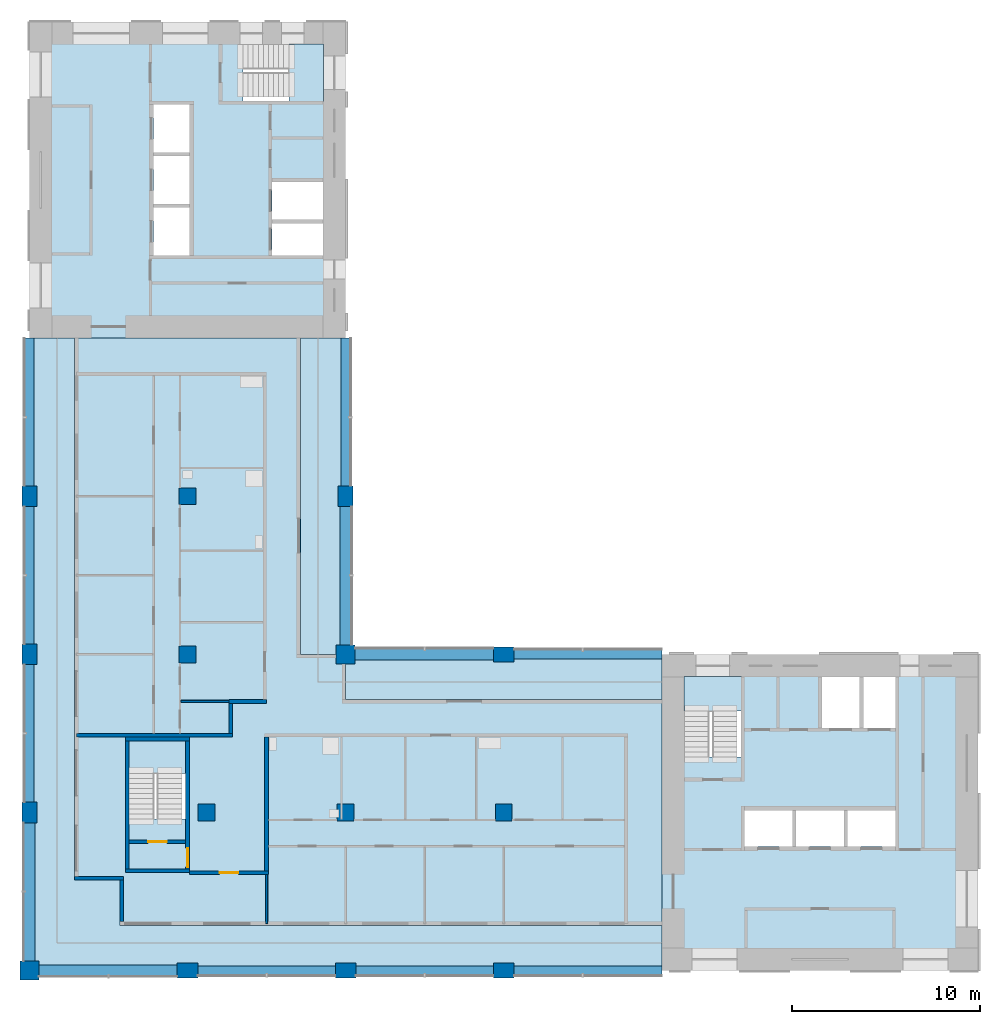
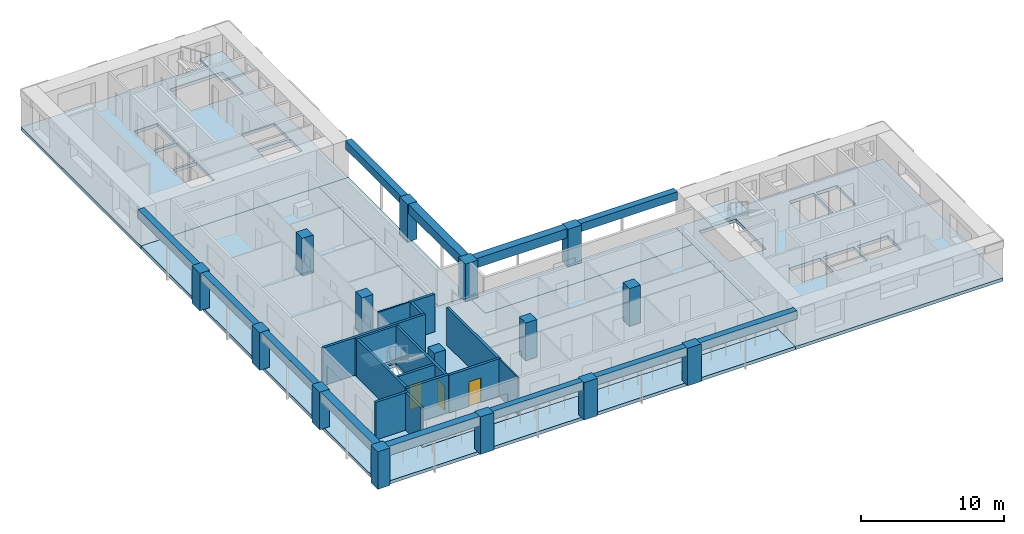
# One storey, part 1 of 9: 15 columns, 14 walls, 12 beams, 10 slabs, 3 doors, 3 openings, 3 elements without a shape of their own.
"""IFC4 building model written with IfcOpenShell, lengths in metres."""

from ifc_helpers import new_model, si_unit, direction, frame, frame_2d, origin, origin_2d, place, context, subcontext, project, spatial, polyline, rectangle, outline, extrude, material, layer, layer_set, material_profile, profile_set, type_object, element, fill, aggregate, save


model = new_model("IFC4")

# Units and contexts
model_context = context("Model", 3, precision=1e-05, world=origin(), true_north=direction((0.0, 1.0)))
body_context = subcontext(model_context, "Body", "Model", "MODEL_VIEW")
ifc_project = project(units=[si_unit("LENGTHUNIT", "METRE"), si_unit("AREAUNIT", "SQUARE_METRE"), si_unit("VOLUMEUNIT", "CUBIC_METRE"), si_unit("PLANEANGLEUNIT", "RADIAN"), si_unit("MASSUNIT", "GRAM", prefix="KILO")], contexts=[model_context])

# Site, building, storey
site_placement = place(None, origin())
site = spatial("IfcSite", under=ifc_project, at=site_placement, CompositionType="ELEMENT")
building_placement = place(site_placement, origin())
building = spatial("IfcBuilding", under=site, at=building_placement, Name="Vermilion Gate Residences", CompositionType="ELEMENT")
storey_placement = place(building_placement, frame((0.0, 0.0, 245.699951171875)))
storey = spatial("IfcBuildingStorey", under=building, at=storey_placement, Name="L64", CompositionType="ELEMENT", Elevation=245.699951171875)

# Columns
ifc_material_1 = material(Name="Concrete C50", Category="concrete")
ifc_material_profile_1 = material_profile(ifc_material_1, rectangle(XDim=1.0, YDim=1.0, at=origin_2d()), Name="RC-1000x1000")
ifc_profile_set_1 = profile_set([ifc_material_profile_1], Name="Concrete C50")
column_type_1 = type_object("IfcColumnType", Name="RC COLUMN 1000 X 1000 C50", PredefinedType="COLUMN", material=ifc_profile_set_1)
for number, where, z_axis, x_axis, name in (
    (1, (8.39990234375, 8.39990234375, 0.0), (0.0, 0.0, 1.0), (1.0, 0.0, 0.0), "Column 2-B L64"),
    (2, (25.199951171875, 25.199951171875, 0.0), (0.0, 0.0, 1.0), (1.0, 0.0, 0.0), "Column 4-D L64"),
):
    element("IfcColumn", number, at=place(storey_placement, frame(where, z_axis=z_axis, x_axis=x_axis)), inside=storey, type_object=column_type_1, Name=name, PredefinedType="COLUMN", context=body_context, shape_type="SweptSolid", body=[
        extrude(rectangle(XDim=1.0, YDim=1.0, at=origin_2d()), origin(), (0.0, 0.0, 1.0), 3.219970703125),
    ])
ifc_material_2 = material(Name="Concrete C50", Category="concrete")
ifc_material_profile_2 = material_profile(ifc_material_2, rectangle(XDim=1.10009765625, YDim=0.800048828125, at=origin_2d()), Name="RC-1100x800")
ifc_profile_set_2 = profile_set([ifc_material_profile_2], Name="Concrete C50")
column_type_2 = type_object("IfcColumnType", Name="RC COLUMN 1100 X 800 C50", PredefinedType="COLUMN", material=ifc_profile_set_2)
for number, where, z_axis, x_axis, name in (
    (3, (8.39990234375, 16.800048828125, 0.0), (0.0, 0.0, 1.0), (0.0, 1.0, 0.0), "Column 2-C L64"),
    (4, (8.39990234375, 25.199951171875, 0.0), (0.0, 0.0, 1.0), (0.0, 1.0, 0.0), "Column 2-D L64"),
    (5, (8.39990234375, 33.60009765625, 0.0), (0.0, 0.0, 1.0), (0.0, 1.0, 0.0), "Column 2-E L64"),
    (6, (16.800048828125, 8.39990234375, 0.0), (0.0, 0.0, 1.0), (1.0, 0.0, 0.0), "Column 3-B L64"),
    (7, (25.199951171875, 8.39990234375, 0.0), (0.0, 0.0, 1.0), (1.0, 0.0, 0.0), "Column 4-B L64"),
    (8, (25.199951171875, 33.60009765625, 0.0), (0.0, 0.0, 1.0), (0.0, 1.0, 0.0), "Column 4-E L64"),
    (9, (33.60009765625, 8.39990234375, 0.0), (0.0, 0.0, 1.0), (1.0, 0.0, 0.0), "Column 5-B L64"),
    (10, (33.60009765625, 25.199951171875, 0.0), (0.0, 0.0, 1.0), (1.0, 0.0, 0.0), "Column 5-D L64"),
):
    element("IfcColumn", number, at=place(storey_placement, frame(where, z_axis=z_axis, x_axis=x_axis)), inside=storey, type_object=column_type_2, Name=name, PredefinedType="COLUMN", context=body_context, shape_type="SweptSolid", body=[
        extrude(rectangle(XDim=1.10009765625, YDim=0.800048828125, at=origin_2d()), origin(), (0.0, 0.0, 1.0), 3.219970703125),
    ])
ifc_material_3 = material(Name="Concrete C50", Category="concrete")
ifc_material_profile_3 = material_profile(ifc_material_3, rectangle(XDim=0.89990234375, YDim=0.89990234375, at=origin_2d()), Name="RC-900x900")
ifc_profile_set_3 = profile_set([ifc_material_profile_3], Name="Concrete C50")
column_type_3 = type_object("IfcColumnType", Name="RC COLUMN 900 X 900 C50", PredefinedType="COLUMN", material=ifc_profile_set_3)
for number, where, z_axis, x_axis, name in (
    (11, (17.800048828125, 16.800048828125, 0.0), (0.0, 0.0, 1.0), (1.0, 0.0, 0.0), "Column 3-C L64"),
    (12, (16.800048828125, 25.199951171875, 0.0), (0.0, 0.0, 1.0), (1.0, 0.0, 0.0), "Column 3-D L64"),
    (13, (16.800048828125, 33.60009765625, 0.0), (0.0, 0.0, 1.0), (1.0, 0.0, 0.0), "Column 3-E L64"),
    (14, (25.199951171875, 16.800048828125, 0.0), (0.0, 0.0, 1.0), (1.0, 0.0, 0.0), "Column 4-C L64"),
    (15, (33.60009765625, 16.800048828125, 0.0), (0.0, 0.0, 1.0), (1.0, 0.0, 0.0), "Column 5-C L64"),
):
    element("IfcColumn", number, at=place(storey_placement, frame(where, z_axis=z_axis, x_axis=x_axis)), inside=storey, type_object=column_type_3, Name=name, PredefinedType="COLUMN", context=body_context, shape_type="SweptSolid", body=[
        extrude(rectangle(XDim=0.89990234375, YDim=0.89990234375, at=origin_2d()), origin(), (0.0, 0.0, 1.0), 3.219970703125),
    ])

# Beams
ifc_material_4 = material(Name="Concrete C60 red-oxide pigmented", Category="concrete")
ifc_material_profile_4 = material_profile(ifc_material_4, rectangle(XDim=0.60009765625, YDim=0.800048828125, at=origin_2d()), Name="RC-600x800")
ifc_profile_set_4 = profile_set([ifc_material_profile_4], Name="Concrete C60 red-oxide pigmented")
beam_type_1 = type_object("IfcBeamType", Name="RC CORNER EDGE BEAM 600 X 800 C60", PredefinedType="BEAM", material=ifc_profile_set_4)
for number, where, z_axis, x_axis, name in (
    (16, (8.89990234375, 8.39990234375, 2.820068359375), (1.0, 0.0, 0.0), (0.0, 1.0, 0.0), "Corner edge beam L64 1"),
    (17, (8.39990234375, 8.89990234375, 2.820068359375), (0.0, 1.0, 0.0), (-1.0, 0.0, 0.0), "Corner edge beam L64 2"),
    (18, (25.199951171875, 25.699951171875, 2.820068359375), (0.0, 1.0, 0.0), (-1.0, 0.0, 0.0), "Corner edge beam L64 7"),
    (19, (25.699951171875, 25.199951171875, 2.820068359375), (1.0, 0.0, 0.0), (0.0, 1.0, 0.0), "Corner edge beam L64 10"),
):
    element("IfcBeam", number, at=place(storey_placement, frame(where, z_axis=z_axis, x_axis=x_axis)), inside=storey, type_object=beam_type_1, Name=name, PredefinedType="BEAM", context=body_context, shape_type="SweptSolid", body=[
        extrude(rectangle(XDim=0.60009765625, YDim=0.800048828125, at=origin_2d()), origin(), (0.0, 0.0, 1.0), 7.35009765625),
    ])
ifc_material_5 = material(Name="Concrete C60 red-oxide pigmented", Category="concrete")
ifc_material_profile_5 = material_profile(ifc_material_5, rectangle(XDim=0.5, YDim=0.699951171875, at=origin_2d()), Name="RC-500x700")
ifc_profile_set_5 = profile_set([ifc_material_profile_5], Name="Concrete C60 red-oxide pigmented")
beam_type_2 = type_object("IfcBeamType", Name="RC EDGE BEAM 500 X 700 C60", PredefinedType="BEAM", material=ifc_profile_set_5)
beam_1_placement = place(storey_placement, frame((8.39990234375, 17.35009765625, 2.8701171875), z_axis=(0.0, 1.0, 0.0), x_axis=(-1.0, 0.0, 0.0)))
element("IfcBeam", 20, at=beam_1_placement, inside=storey, type_object=beam_type_2, Name="Edge beam L64 3", PredefinedType="BEAM", context=body_context, shape_type="SweptSolid", body=[
    extrude(rectangle(XDim=0.5, YDim=0.699951171875, at=origin_2d()), origin(), (0.0, 0.0, 1.0), 7.2998046875),
])
beam_2_placement = place(storey_placement, frame((8.39990234375, 25.75, 2.8701171875), z_axis=(0.0, 1.0, 0.0), x_axis=(-1.0, 0.0, 0.0)))
element("IfcBeam", 21, at=beam_2_placement, inside=storey, type_object=beam_type_2, Name="Edge beam L64 4", PredefinedType="BEAM", context=body_context, shape_type="SweptSolid", body=[
    extrude(rectangle(XDim=0.5, YDim=0.699951171875, at=origin_2d()), origin(), (0.0, 0.0, 1.0), 7.300048828125),
])
beam_3_placement = place(storey_placement, frame((8.39990234375, 34.14990234375, 2.8701171875), z_axis=(0.0, 1.0, 0.0), x_axis=(-1.0, 0.0, 0.0)))
element("IfcBeam", 22, at=beam_3_placement, inside=storey, type_object=beam_type_2, Name="Edge beam L64 5", PredefinedType="BEAM", context=body_context, shape_type="SweptSolid", body=[
    extrude(rectangle(XDim=0.5, YDim=0.699951171875, at=origin_2d()), origin(), (0.0, 0.0, 1.0), 7.85009765625),
])
beam_4_placement = place(storey_placement, frame((17.35009765625, 8.39990234375, 2.8701171875), z_axis=(1.0, 0.0, 0.0), x_axis=(0.0, 1.0, 0.0)))
element("IfcBeam", 23, at=beam_4_placement, inside=storey, type_object=beam_type_2, Name="Edge beam L64 6", PredefinedType="BEAM", context=body_context, shape_type="SweptSolid", body=[
    extrude(rectangle(XDim=0.5, YDim=0.699951171875, at=origin_2d()), origin(), (0.0, 0.0, 1.0), 7.2998046875),
])
beam_5_placement = place(storey_placement, frame((25.199951171875, 34.14990234375, 2.8701171875), z_axis=(0.0, 1.0, 0.0), x_axis=(-1.0, 0.0, 0.0)))
element("IfcBeam", 24, at=beam_5_placement, inside=storey, type_object=beam_type_2, Name="Edge beam L64 8", PredefinedType="BEAM", context=body_context, shape_type="SweptSolid", body=[
    extrude(rectangle(XDim=0.5, YDim=0.699951171875, at=origin_2d()), origin(), (0.0, 0.0, 1.0), 7.85009765625),
])
beam_6_placement = place(storey_placement, frame((25.75, 8.39990234375, 2.8701171875), z_axis=(1.0, 0.0, 0.0), x_axis=(0.0, 1.0, 0.0)))
element("IfcBeam", 25, at=beam_6_placement, inside=storey, type_object=beam_type_2, Name="Edge beam L64 9", PredefinedType="BEAM", context=body_context, shape_type="SweptSolid", body=[
    extrude(rectangle(XDim=0.5, YDim=0.699951171875, at=origin_2d()), origin(), (0.0, 0.0, 1.0), 7.300048828125),
])
for number, where, z_axis, x_axis, name in (
    (26, (34.14990234375, 8.39990234375, 2.8701171875), (1.0, 0.0, 0.0), (0.0, 1.0, 0.0), "Edge beam L64 11"),
    (27, (34.14990234375, 25.199951171875, 2.8701171875), (1.0, 0.0, 0.0), (0.0, 1.0, 0.0), "Edge beam L64 12"),
):
    element("IfcBeam", number, at=place(storey_placement, frame(where, z_axis=z_axis, x_axis=x_axis)), inside=storey, type_object=beam_type_2, Name=name, PredefinedType="BEAM", context=body_context, shape_type="SweptSolid", body=[
        extrude(rectangle(XDim=0.5, YDim=0.699951171875, at=origin_2d()), origin(), (0.0, 0.0, 1.0), 7.85009765625),
    ])

# Slabs
ifc_material_6 = material(Name="Concrete C50", Category="concrete")
ifc_layer_1 = layer(ifc_material_6, 0.280029296875)
ifc_layer_set_1 = layer_set([ifc_layer_1], Name="RC CORE FLOOR SLAB 280 C50")
slab_type_1 = type_object("IfcSlabType", Name="RC CORE FLOOR SLAB 280 C50", PredefinedType="FLOOR", material=ifc_layer_set_1)
slab_1_placement = place(storey_placement, frame((0.0, 0.0, -0.280029296875)))
element("IfcSlab", 28, at=slab_1_placement, inside=storey, type_object=slab_type_1, Name="Core floor slab A64", PredefinedType="FLOOR", context=body_context, shape_type="SweptSolid", body=[
    extrude(outline(polyline([(42.0, 8.39990234375), (58.800048828125, 8.39990234375), (58.800048828125, 25.199951171875), (42.0, 25.199951171875), (42.0, 8.39990234375)]), holes=[polyline([(46.39990234375, 15.0), (46.39990234375, 16.89990234375), (48.933349609375, 16.89990234375), (48.933349609375, 15.0), (46.39990234375, 15.0)]), polyline([(49.13330078125, 16.89990234375), (51.666748046875, 16.89990234375), (51.666748046875, 15.0), (49.13330078125, 15.0), (49.13330078125, 16.89990234375)]), polyline([(51.86669921875, 16.89990234375), (54.39990234375, 16.89990234375), (54.39990234375, 15.0), (51.86669921875, 15.0), (51.86669921875, 16.89990234375)]), polyline([(43.199951171875, 19.75), (43.199951171875, 24.0), (46.199951171875, 24.0), (46.199951171875, 19.75), (43.199951171875, 19.75)]), polyline([(50.5, 24.0), (52.5, 24.0), (52.5, 21.300048828125), (50.5, 21.300048828125), (50.5, 24.0)]), polyline([(52.699951171875, 24.0), (54.39990234375, 24.0), (54.39990234375, 21.300048828125), (52.699951171875, 21.300048828125), (52.699951171875, 24.0)])]), origin(), (0.0, 0.0, 1.0), 0.280029296875),
])
slab_2_placement = place(storey_placement, frame((0.0, 0.0, -0.280029296875)))
element("IfcSlab", 29, at=slab_2_placement, inside=storey, type_object=slab_type_1, Name="Core floor slab B64", PredefinedType="FLOOR", context=body_context, shape_type="SweptSolid", body=[
    extrude(outline(polyline([(8.39990234375, 42.0), (25.199951171875, 42.0), (25.199951171875, 58.800048828125), (8.39990234375, 58.800048828125), (8.39990234375, 42.0)]), holes=[polyline([(21.300048828125, 46.39990234375), (21.300048828125, 48.10009765625), (24.0, 48.10009765625), (24.0, 46.39990234375), (21.300048828125, 46.39990234375)]), polyline([(15.0, 48.933349609375), (16.89990234375, 48.933349609375), (16.89990234375, 46.39990234375), (15.0, 46.39990234375), (15.0, 48.933349609375)]), polyline([(21.300048828125, 50.300048828125), (24.0, 50.300048828125), (24.0, 48.300048828125), (21.300048828125, 48.300048828125), (21.300048828125, 50.300048828125)]), polyline([(15.0, 49.13330078125), (15.0, 51.666748046875), (16.89990234375, 51.666748046875), (16.89990234375, 49.13330078125), (15.0, 49.13330078125)]), polyline([(15.0, 54.39990234375), (16.89990234375, 54.39990234375), (16.89990234375, 51.86669921875), (15.0, 51.86669921875), (15.0, 54.39990234375)]), polyline([(19.75, 57.60009765625), (24.0, 57.60009765625), (24.0, 54.60009765625), (19.75, 54.60009765625), (19.75, 57.60009765625)])]), origin(), (0.0, 0.0, 1.0), 0.280029296875),
])
slab_3_placement = place(storey_placement, frame((0.0, 0.0, -0.280029296875)))
element("IfcSlab", 30, at=slab_3_placement, inside=storey, type_object=slab_type_1, Name="Apex stair floor slab 64", PredefinedType="FLOOR", context=body_context, shape_type="SweptSolid", body=[
    extrude(outline(polyline([(13.5, 13.60009765625), (16.89990234375, 13.60009765625), (16.89990234375, 20.800048828125), (13.5, 20.800048828125), (13.5, 13.60009765625)]), holes=[polyline([(16.699951171875, 20.60009765625), (16.699951171875, 16.449951171875), (13.699951171875, 16.449951171875), (13.699951171875, 20.60009765625), (16.699951171875, 20.60009765625)])]), origin(), (0.0, 0.0, 1.0), 0.280029296875),
])
ifc_material_7 = material(Name="Concrete C50", Category="concrete")
ifc_layer_2 = layer(ifc_material_7, 0.280029296875)
ifc_layer_set_2 = layer_set([ifc_layer_2], Name="RC FLAT PLATE 280 C50")
slab_type_2 = type_object("IfcSlabType", Name="RC FLAT PLATE 280 C50", PredefinedType="FLOOR", material=ifc_layer_set_2)
slab_4_placement = place(storey_placement, frame((0.0, 0.0, -0.280029296875)))
element("IfcSlab", 31, at=slab_4_placement, inside=storey, type_object=slab_type_2, Name="Floor slab L64", PredefinedType="FLOOR", context=body_context, shape_type="SweptSolid", body=[
    extrude(outline(polyline([(22.800048828125, 25.199951171875), (22.800048828125, 42.0), (10.800048828125, 42.0), (10.800048828125, 13.199951171875), (13.199951171875, 13.199951171875), (13.199951171875, 10.800048828125), (42.0, 10.800048828125), (42.0, 22.800048828125), (25.199951171875, 22.800048828125), (25.199951171875, 25.199951171875), (22.800048828125, 25.199951171875)]), holes=[polyline([(13.5, 13.60009765625), (13.5, 20.800048828125), (16.89990234375, 20.800048828125), (16.89990234375, 13.60009765625), (13.5, 13.60009765625)])]), origin(), (0.0, 0.0, 1.0), 0.280029296875),
])
ifc_material_8 = material(Name="Concrete C50 red-oxide pigmented", Category="concrete")
ifc_layer_3 = layer(ifc_material_8, 0.280029296875)
ifc_layer_set_3 = layer_set([ifc_layer_3], Name="RC LOGGIA SLAB 280 C50")
slab_type_3 = type_object("IfcSlabType", Name="RC LOGGIA SLAB 280 C50", PredefinedType="FLOOR", material=ifc_layer_set_3)
slab_5_placement = place(storey_placement, frame((0.0, 0.0, -0.280029296875)))
element("IfcSlab", 32, at=slab_5_placement, inside=storey, type_object=slab_type_3, Name="Loggia slab L64", PredefinedType="FLOOR", context=body_context, shape_type="SweptSolid", body=[
    extrude(outline(polyline([(8.39990234375, 8.39990234375), (42.0, 8.39990234375), (42.0, 10.800048828125), (13.199951171875, 10.800048828125), (13.199951171875, 13.199951171875), (10.800048828125, 13.199951171875), (10.800048828125, 42.0), (8.39990234375, 42.0), (8.39990234375, 8.39990234375)])), origin(), (0.0, 0.0, 1.0), 0.280029296875),
])
slab_6_placement = place(storey_placement, frame((0.0, 0.0, -0.280029296875)))
element("IfcSlab", 33, at=slab_6_placement, inside=storey, type_object=slab_type_3, Name="Loggia slab L64", PredefinedType="FLOOR", context=body_context, shape_type="SweptSolid", body=[
    extrude(outline(polyline([(25.199951171875, 22.800048828125), (42.0, 22.800048828125), (42.0, 25.199951171875), (25.199951171875, 25.199951171875), (25.199951171875, 22.800048828125)])), origin(), (0.0, 0.0, 1.0), 0.280029296875),
])
slab_7_placement = place(storey_placement, frame((0.0, 0.0, -0.280029296875)))
element("IfcSlab", 34, at=slab_7_placement, inside=storey, type_object=slab_type_3, Name="Loggia slab L64", PredefinedType="FLOOR", context=body_context, shape_type="SweptSolid", body=[
    extrude(outline(polyline([(25.199951171875, 42.0), (22.800048828125, 42.0), (22.800048828125, 25.199951171875), (25.199951171875, 25.199951171875), (25.199951171875, 42.0)])), origin(), (0.0, 0.0, 1.0), 0.280029296875),
])

# Stair, slab
ifc_material_9 = material(Name="Concrete C50", Category="concrete")
stair_type = type_object("IfcStairType", Name="SPECIAL ESCAPE STAIR 1300", PredefinedType="HALF_TURN_STAIR", material=ifc_material_9)
stair_1_placement = place(storey_placement, origin())
stair_1 = element("IfcStair", 35, at=stair_1_placement, inside=storey, type_object=stair_type, Name="Special escape stair STA1-64", PredefinedType="HALF_TURN_STAIR")
ifc_material_10 = material(Name="Concrete C50", Category="concrete")
ifc_layer_4 = layer(ifc_material_10, 0.199951171875)
ifc_layer_set_4 = layer_set([ifc_layer_4], Name="STAIR LANDING 200 C50")
slab_type_4 = type_object("IfcSlabType", Name="STAIR LANDING 200 C50", PredefinedType="LANDING", material=ifc_layer_set_4)
slab_8_placement = place(storey_placement, frame((0.0, 0.0, 1.550048828125)))
slab_8 = element("IfcSlab", 36, at=slab_8_placement, type_object=slab_type_4, Name="STA1-64 landing 1", PredefinedType="LANDING", context=body_context, shape_type="SweptSolid", body=[
    extrude(outline(polyline([(46.219970703125, 22.179931640625), (46.219970703125, 24.02001953125), (43.179931640625, 24.02001953125), (43.179931640625, 22.179931640625), (46.219970703125, 22.179931640625)])), origin(), (0.0, 0.0, 1.0), 0.199951171875),
])
aggregate(stair_1, [slab_8])

stair_2_placement = place(storey_placement, origin())
stair_2 = element("IfcStair", 37, at=stair_2_placement, inside=storey, type_object=stair_type, Name="Special escape stair STB1-64", PredefinedType="HALF_TURN_STAIR")
slab_9_placement = place(storey_placement, frame((0.0, 0.0, 1.550048828125)))
slab_9 = element("IfcSlab", 38, at=slab_9_placement, type_object=slab_type_4, Name="STB1-64 landing 1", PredefinedType="LANDING", context=body_context, shape_type="SweptSolid", body=[
    extrude(outline(polyline([(24.02001953125, 54.580078125), (24.02001953125, 57.6201171875), (22.179931640625, 57.6201171875), (22.179931640625, 54.580078125), (24.02001953125, 54.580078125)])), origin(), (0.0, 0.0, 1.0), 0.199951171875),
])
aggregate(stair_2, [slab_9])

stair_3_placement = place(storey_placement, origin())
stair_3 = element("IfcStair", 39, at=stair_3_placement, inside=storey, type_object=stair_type, Name="Special escape stair STC1-64", PredefinedType="HALF_TURN_STAIR")
slab_10_placement = place(storey_placement, frame((0.0, 0.0, 1.550048828125)))
slab_10 = element("IfcSlab", 40, at=slab_10_placement, type_object=slab_type_4, Name="STC1-64 landing 1", PredefinedType="LANDING", context=body_context, shape_type="SweptSolid", body=[
    extrude(outline(polyline([(16.719970703125, 18.8798828125), (16.719970703125, 20.6201171875), (13.679931640625, 20.6201171875), (13.679931640625, 18.8798828125), (16.719970703125, 18.8798828125)])), origin(), (0.0, 0.0, 1.0), 0.199951171875),
])
aggregate(stair_3, [slab_10])

# Walls
ifc_material_11 = material(Name="Insulated steel stud wall with terracotta rainscreen", Category="masonry")
ifc_layer_5 = layer(ifc_material_11, 0.199951171875)
ifc_layer_set_5 = layer_set([ifc_layer_5], Name="EXTERNAL WALL 200 TERRACOTTA RAINSCREEN")
wall_type_1 = type_object("IfcWallType", Name="EXTERNAL WALL 200 TERRACOTTA RAINSCREEN", PredefinedType="SOLIDWALL", material=ifc_layer_set_5)
wall_1_placement = place(storey_placement, frame((10.800048828125, 13.300048828125, 0.0), z_axis=(0.0, 0.0, 1.0), x_axis=(1.0, 0.0, 0.0)))
element("IfcWall", 41, at=wall_1_placement, inside=storey, type_object=wall_type_1, Name="External wall", PredefinedType="SOLIDWALL", context=body_context, shape_type="SweptSolid", body=[
    extrude(rectangle(XDim=2.599853515625, YDim=0.199951171875, at=frame_2d((1.2998046875, 0.0))), origin(), (0.0, 0.0, 1.0), 3.219970703125),
])
wall_2_placement = place(storey_placement, frame((13.300048828125, 13.199951171875, 0.0), z_axis=(0.0, 0.0, 1.0), x_axis=(0.0, -1.0, 0.0)))
element("IfcWall", 42, at=wall_2_placement, inside=storey, type_object=wall_type_1, Name="External wall", PredefinedType="SOLIDWALL", context=body_context, shape_type="SweptSolid", body=[
    extrude(rectangle(XDim=2.199951171875, YDim=0.199951171875, at=frame_2d((1.10009765625, 0.0))), origin(), (0.0, 0.0, 1.0), 3.219970703125),
])
ifc_material_12 = material(Name="Plasterboard on steel studs", Category="steel")
ifc_layer_6 = layer(ifc_material_12, 0.10009765625)
ifc_layer_set_6 = layer_set([ifc_layer_6], Name="PARTITION 100")
wall_type_2 = type_object("IfcWallType", Name="PARTITION 100", PredefinedType="PARTITIONING", material=ifc_layer_set_6)
wall_3_placement = place(storey_placement, frame((16.449951171875, 22.699951171875, 0.0), z_axis=(0.0, 0.0, 1.0), x_axis=(1.0, 0.0, 0.0)))
element("IfcWall", 43, at=wall_3_placement, inside=storey, type_object=wall_type_2, Name="Partition", PredefinedType="PARTITIONING", context=body_context, shape_type="SweptSolid", body=[
    extrude(rectangle(XDim=2.550048828125, YDim=0.10009765625, at=frame_2d((1.27490234375, 0.0))), origin(), (0.0, 0.0, 1.0), 3.219970703125),
])
wall_4_placement = place(storey_placement, frame((21.0, 10.89990234375, 0.0), z_axis=(0.0, 0.0, 1.0), x_axis=(0.0, 1.0, 0.0)))
element("IfcWall", 44, at=wall_4_placement, inside=storey, type_object=wall_type_2, Name="Partition", PredefinedType="PARTITIONING", context=body_context, shape_type="SweptSolid", body=[
    extrude(rectangle(XDim=2.60009765625, YDim=0.10009765625, at=frame_2d((1.300048828125, 0.0))), origin(), (0.0, 0.0, 1.0), 3.219970703125),
])

# Wall, opening, door
ifc_material_13 = material(Name="Fire-rated plasterboard on steel studs", Category="steel")
ifc_layer_7 = layer(ifc_material_13, 0.199951171875)
ifc_layer_set_7 = layer_set([ifc_layer_7], Name="PARTY WALL 200 EI 120")
wall_type_3 = type_object("IfcWallType", Name="PARTY WALL 200 EI 120", PredefinedType="PARTITIONING", material=ifc_layer_set_7)
wall_5_placement = place(storey_placement, frame((16.89990234375, 13.60009765625, 0.0), z_axis=(0.0, 0.0, 1.0), x_axis=(1.0, 0.0, 0.0)))
wall_5 = element("IfcWall", 45, at=wall_5_placement, inside=storey, type_object=wall_type_3, Name="Party and corridor wall", PredefinedType="PARTITIONING", context=body_context, shape_type="SweptSolid", body=[
    extrude(rectangle(XDim=4.2001953125, YDim=0.199951171875, at=frame_2d((2.10009765625, 0.0))), origin(), (0.0, 0.0, 1.0), 3.219970703125),
])
opening_1_placement = place(wall_5_placement, frame((1.60009765625, 0.0, 0.0)))
opening_1 = element("IfcOpeningElement", 46, at=opening_1_placement, cuts=wall_5, Name="Opening DA64001", PredefinedType="OPENING", context=body_context, shape_type="SweptSolid", body=[
    extrude(rectangle(XDim=1.0, YDim=2.10009765625, at=frame_2d((0.5, 1.050048828125))), frame((0.0, 0.10986328125, 0.0), z_axis=(0.0, -1.0, 0.0), x_axis=(1.0, 0.0, 0.0)), (0.0, 0.0, 1.0), 0.219970703125),
])
ifc_material_14 = material(Name="Steel", Category="steel")
door_type_1 = type_object("IfcDoorType", Name="ENTRANCE DOOR 1000 X 2100 FD30", OperationType="SINGLE_SWING_LEFT", PredefinedType="DOOR", material=ifc_material_14)
door_1_placement = place(opening_1_placement, frame((1.0, 0.0, 0.0), z_axis=(0.0, 0.0, 1.0), x_axis=(-1.0, 0.0, 0.0)))
door_1 = element("IfcDoor", 47, at=door_1_placement, inside=storey, type_object=door_type_1, Name="Entrance door", OperationType="SINGLE_SWING_LEFT", OverallHeight=2.10009765625, OverallWidth=1.0, PredefinedType="DOOR", context=body_context, shape_type="SweptSolid", body=[
    extrude(rectangle(XDim=1.0, YDim=2.10009765625, at=frame_2d((0.5, 1.050048828125))), frame((0.0, 0.02490234375, 0.0), z_axis=(0.0, -1.0, 0.0), x_axis=(1.0, 0.0, 0.0)), (0.0, 0.0, 1.0), 0.050048828125),
])
fill(opening_1, door_1)

# Walls
wall_6_placement = place(storey_placement, frame((10.89990234375, 20.89990234375, 0.0), z_axis=(0.0, 0.0, 1.0), x_axis=(1.0, 0.0, 0.0)))
element("IfcWall", 48, at=wall_6_placement, inside=storey, type_object=wall_type_3, Name="Party and corridor wall", PredefinedType="PARTITIONING", context=body_context, shape_type="SweptSolid", body=[
    extrude(rectangle(XDim=8.300048828125, YDim=0.199951171875, at=frame_2d((4.14990234375, 0.0))), origin(), (0.0, 0.0, 1.0), 3.219970703125),
])
wall_7_placement = place(storey_placement, frame((19.0, 22.699951171875, 0.0), z_axis=(0.0, 0.0, 1.0), x_axis=(1.0, 0.0, 0.0)))
element("IfcWall", 49, at=wall_7_placement, inside=storey, type_object=wall_type_3, Name="Party and corridor wall", PredefinedType="PARTITIONING", context=body_context, shape_type="SweptSolid", body=[
    extrude(rectangle(XDim=2.0, YDim=0.199951171875, at=frame_2d((1.0, 0.0))), origin(), (0.0, 0.0, 1.0), 3.219970703125),
])
wall_8_placement = place(storey_placement, frame((19.10009765625, 21.0, 0.0), z_axis=(0.0, 0.0, 1.0), x_axis=(0.0, 1.0, 0.0)))
element("IfcWall", 50, at=wall_8_placement, inside=storey, type_object=wall_type_3, Name="Party and corridor wall", PredefinedType="PARTITIONING", context=body_context, shape_type="SweptSolid", body=[
    extrude(rectangle(XDim=1.60009765625, YDim=0.199951171875, at=frame_2d((0.800048828125, 0.0))), origin(), (0.0, 0.0, 1.0), 3.219970703125),
])
wall_9_placement = place(storey_placement, frame((21.0, 13.699951171875, 0.0), z_axis=(0.0, 0.0, 1.0), x_axis=(0.0, 1.0, 0.0)))
element("IfcWall", 51, at=wall_9_placement, inside=storey, type_object=wall_type_3, Name="Party and corridor wall", PredefinedType="PARTITIONING", context=body_context, shape_type="SweptSolid", body=[
    extrude(rectangle(XDim=7.10009765625, YDim=0.199951171875, at=frame_2d((3.550048828125, 0.0))), origin(), (0.0, 0.0, 1.0), 3.219970703125),
])
ifc_material_15 = material(Name="Concrete C60", Category="concrete")
ifc_layer_8 = layer(ifc_material_15, 0.199951171875)
ifc_layer_set_8 = layer_set([ifc_layer_8], Name="RC CORE INTERNAL WALL 200 C60")
wall_type_4 = type_object("IfcWallType", Name="RC CORE INTERNAL WALL 200 C60", PredefinedType="SHEAR", material=ifc_layer_set_8)
wall_10_placement = place(storey_placement, frame((13.60009765625, 13.800048828125, 0.0), z_axis=(0.0, 0.0, 1.0), x_axis=(0.0, 1.0, 0.0)))
element("IfcWall", 52, at=wall_10_placement, inside=storey, type_object=wall_type_4, Name="Core internal wall C64-W", PredefinedType="SHEAR", context=body_context, shape_type="SweptSolid", body=[
    extrude(rectangle(XDim=6.800048828125, YDim=0.199951171875, at=frame_2d((3.39990234375, 0.0))), origin(), (0.0, 0.0, 1.0), 3.219970703125),
])

# Wall, opening, door
wall_11_placement = place(storey_placement, frame((16.800048828125, 13.800048828125, 0.0), z_axis=(0.0, 0.0, 1.0), x_axis=(0.0, 1.0, 0.0)))
wall_11 = element("IfcWall", 53, at=wall_11_placement, inside=storey, type_object=wall_type_4, Name="Core internal wall C64-E", PredefinedType="SHEAR", context=body_context, shape_type="SweptSolid", body=[
    extrude(rectangle(XDim=6.800048828125, YDim=0.199951171875, at=frame_2d((3.39990234375, 0.0))), origin(), (0.0, 0.0, 1.0), 3.219970703125),
])
opening_2_placement = place(wall_11_placement, frame((0.10009765625, 0.0, 0.0)))
opening_2 = element("IfcOpeningElement", 54, at=opening_2_placement, cuts=wall_11, Name="Opening DK64201", PredefinedType="OPENING", context=body_context, shape_type="SweptSolid", body=[
    extrude(rectangle(XDim=1.0, YDim=2.10009765625, at=frame_2d((0.5, 1.050048828125))), frame((0.0, 0.10986328125, 0.0), z_axis=(0.0, -1.0, 0.0), x_axis=(1.0, 0.0, 0.0)), (0.0, 0.0, 1.0), 0.219970703125),
])
ifc_material_16 = material(Name="Steel", Category="steel")
door_type_2 = type_object("IfcDoorType", Name="FIRE DOOR FD60 1000 X 2100", OperationType="SINGLE_SWING_LEFT", PredefinedType="DOOR", material=ifc_material_16)
door_2_placement = place(opening_2_placement, frame((1.0, 0.0, 0.0), z_axis=(0.0, 0.0, 1.0), x_axis=(-1.0, 0.0, 0.0)))
door_2 = element("IfcDoor", 55, at=door_2_placement, inside=storey, type_object=door_type_2, Name="Stair vestibule door C64", OperationType="SINGLE_SWING_RIGHT", OverallHeight=2.10009765625, OverallWidth=1.0, PredefinedType="DOOR", context=body_context, shape_type="SweptSolid", body=[
    extrude(rectangle(XDim=1.0, YDim=2.10009765625, at=frame_2d((0.5, 1.050048828125))), frame((0.0, 0.02490234375, 0.0), z_axis=(0.0, -1.0, 0.0), x_axis=(1.0, 0.0, 0.0)), (0.0, 0.0, 1.0), 0.050048828125),
])
fill(opening_2, door_2)

# Walls
for number, where, z_axis, x_axis, name in (
    (56, (13.5, 13.699951171875, 0.0), (0.0, 0.0, 1.0), (1.0, 0.0, 0.0), "Core internal wall C64-S"),
    (57, (13.5, 20.699951171875, 0.0), (0.0, 0.0, 1.0), (1.0, 0.0, 0.0), "Core internal wall C64-N"),
):
    element("IfcWall", number, at=place(storey_placement, frame(where, z_axis=z_axis, x_axis=x_axis)), inside=storey, type_object=wall_type_4, Name=name, PredefinedType="SHEAR", context=body_context, shape_type="SweptSolid", body=[
        extrude(rectangle(XDim=3.39990234375, YDim=0.199951171875, at=frame_2d((1.699951171875, 0.0))), origin(), (0.0, 0.0, 1.0), 3.219970703125),
    ])

# Wall, opening, door
wall_12_placement = place(storey_placement, frame((13.699951171875, 15.25, 0.0), z_axis=(0.0, 0.0, 1.0), x_axis=(1.0, 0.0, 0.0)))
wall_12 = element("IfcWall", 58, at=wall_12_placement, inside=storey, type_object=wall_type_4, Name="Core internal wall C64-P", PredefinedType="SHEAR", context=body_context, shape_type="SweptSolid", body=[
    extrude(rectangle(XDim=3.0, YDim=0.199951171875, at=frame_2d((1.5, 0.0))), origin(), (0.0, 0.0, 1.0), 3.219970703125),
])
opening_3_placement = place(wall_12_placement, frame((1.0, 0.0, 0.0)))
opening_3 = element("IfcOpeningElement", 59, at=opening_3_placement, cuts=wall_12, Name="Opening DK64202", PredefinedType="OPENING", context=body_context, shape_type="SweptSolid", body=[
    extrude(rectangle(XDim=1.0, YDim=2.10009765625, at=frame_2d((0.5, 1.050048828125))), frame((0.0, 0.10986328125, 0.0), z_axis=(0.0, -1.0, 0.0), x_axis=(1.0, 0.0, 0.0)), (0.0, 0.0, 1.0), 0.219970703125),
])
door_3_placement = place(opening_3_placement, origin())
door_3 = element("IfcDoor", 60, at=door_3_placement, inside=storey, type_object=door_type_2, Name="Stair door C64", OperationType="SINGLE_SWING_LEFT", OverallHeight=2.10009765625, OverallWidth=1.0, PredefinedType="DOOR", context=body_context, shape_type="SweptSolid", body=[
    extrude(rectangle(XDim=1.0, YDim=2.10009765625, at=frame_2d((0.5, 1.050048828125))), frame((0.0, 0.02490234375, 0.0), z_axis=(0.0, -1.0, 0.0), x_axis=(1.0, 0.0, 0.0)), (0.0, 0.0, 1.0), 0.050048828125),
])
fill(opening_3, door_3)

save(model, "model.ifc")
